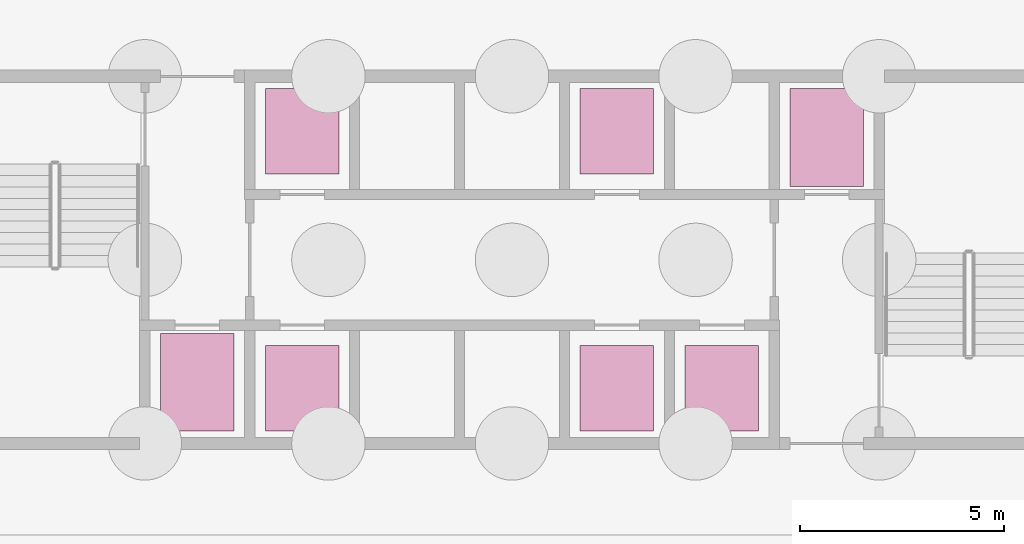
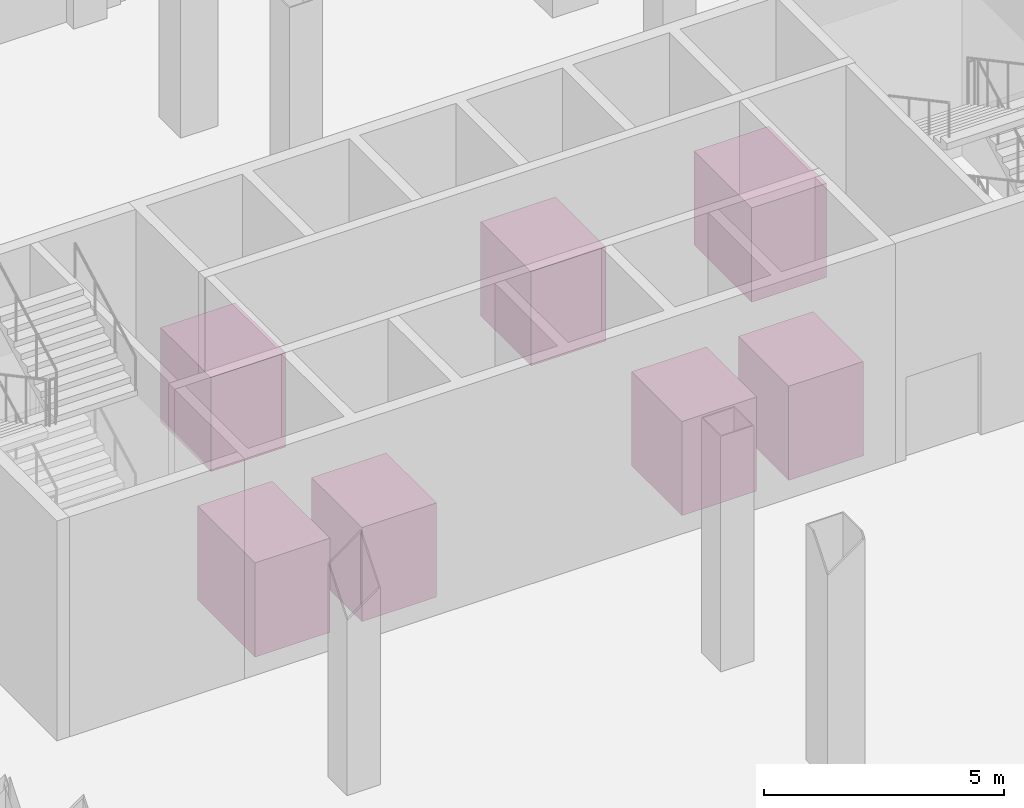
# One storey, part 25 of 25: 7 transport elements.
"""IFC4 building model written with IfcOpenShell, lengths in metres."""

from ifc_helpers import new_model, si_unit, direction, frame, origin, origin_2d, place, context, subcontext, project, spatial, rectangle, extrude, material, type_object, element, save


model = new_model("IFC4")

# Units and contexts
model_context = context("Model", 3, precision=1e-05, world=origin(), true_north=direction((0.0, 1.0)))
body_context = subcontext(model_context, "Body", "Model", "MODEL_VIEW")
ifc_project = project(units=[si_unit("LENGTHUNIT", "METRE"), si_unit("AREAUNIT", "SQUARE_METRE"), si_unit("VOLUMEUNIT", "CUBIC_METRE"), si_unit("PLANEANGLEUNIT", "RADIAN"), si_unit("MASSUNIT", "GRAM", prefix="KILO")], contexts=[model_context])

# Site, building, storey
site_placement = place(None, origin())
site = spatial("IfcSite", under=ifc_project, at=site_placement, CompositionType="ELEMENT")
building_placement = place(site_placement, origin())
building = spatial("IfcBuilding", under=site, at=building_placement, Name="Caravel Reach Hotel and Residences", CompositionType="ELEMENT")
storey_placement = place(building_placement, frame((0.0, 0.0, -6.0)))
storey = spatial("IfcBuildingStorey", under=building, at=storey_placement, Name="B1", CompositionType="ELEMENT", Elevation=-6.0)

# Transport elements
ifc_material_1 = material(Name="Stainless steel lift car", Category="steel")
transport_element_type_1 = type_object("IfcTransportElementType", Name="Fire-fighting lift car 1800 x 2400", PredefinedType="ELEVATOR", material=ifc_material_1)
for number, where, z_axis, x_axis, name in (
    (1, (23.78564453125, 24.0, 0.10009765625), (0.0, 0.0, 1.0), (1.0, 0.0, 0.0), "FL1"),
    (2, (39.21435546875, 30.0, 0.10009765625), (0.0, 0.0, 1.0), (1.0, 0.0, 0.0), "FL2"),
):
    element("IfcTransportElement", number, at=place(storey_placement, frame(where, z_axis=z_axis, x_axis=x_axis)), inside=storey, type_object=transport_element_type_1, Name=name, PredefinedType="ELEVATOR", context=body_context, shape_type="SweptSolid", body=[
        extrude(rectangle(XDim=1.800048828125, YDim=2.39990234375, at=origin_2d()), origin(), (0.0, 0.0, 1.0), 2.39990234375),
    ])
ifc_material_2 = material(Name="Stainless steel lift car", Category="steel")
transport_element_type_2 = type_object("IfcTransportElementType", Name="Passenger lift car 1800 x 2100", PredefinedType="ELEVATOR", material=ifc_material_2)
for number, where, z_axis, x_axis, name in (
    (3, (26.357177734375, 23.85009765625, 0.10009765625), (0.0, 0.0, 1.0), (1.0, 0.0, 0.0), "LP1"),
    (4, (34.0712890625, 23.85009765625, 0.10009765625), (0.0, 0.0, 1.0), (1.0, 0.0, 0.0), "LP2"),
    (5, (36.642822265625, 23.85009765625, 0.10009765625), (0.0, 0.0, 1.0), (1.0, 0.0, 0.0), "LP3"),
    (6, (26.357177734375, 30.14990234375, 0.10009765625), (0.0, 0.0, 1.0), (1.0, 0.0, 0.0), "LP4"),
    (7, (34.0712890625, 30.14990234375, 0.10009765625), (0.0, 0.0, 1.0), (1.0, 0.0, 0.0), "LP5"),
):
    element("IfcTransportElement", number, at=place(storey_placement, frame(where, z_axis=z_axis, x_axis=x_axis)), inside=storey, type_object=transport_element_type_2, Name=name, PredefinedType="ELEVATOR", context=body_context, shape_type="SweptSolid", body=[
        extrude(rectangle(XDim=1.800048828125, YDim=2.10009765625, at=origin_2d()), origin(), (0.0, 0.0, 1.0), 2.39990234375),
    ])

save(model, "model.ifc")
